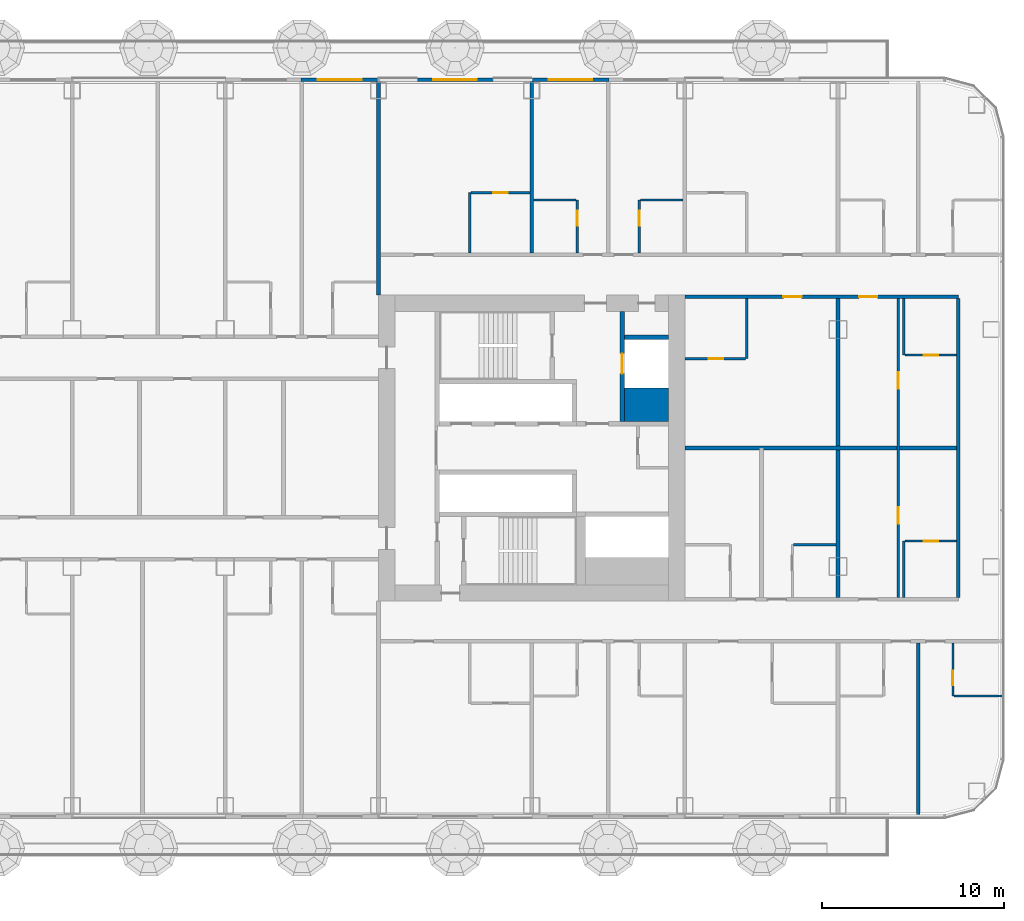
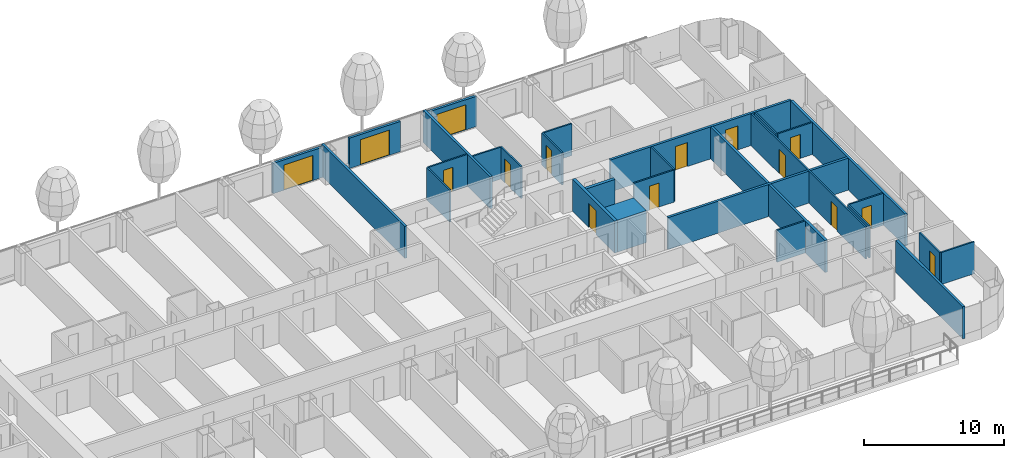
# One storey, part 19 of 36: 29 walls, 15 doors, 15 openings, 1 element without a shape of its own.
"""IFC4 building model written with IfcOpenShell, lengths in metres."""

from ifc_helpers import new_model, si_unit, direction, frame, frame_2d, origin, place, context, subcontext, project, spatial, rectangle, extrude, material, layer, layer_set, type_object, element, fill, aggregate, save


model = new_model("IFC4")

# Units and contexts
model_context = context("Model", 3, precision=1e-05, world=origin(), true_north=direction((0.0, 1.0)))
body_context = subcontext(model_context, "Body", "Model", "MODEL_VIEW")
ifc_project = project(units=[si_unit("LENGTHUNIT", "METRE"), si_unit("AREAUNIT", "SQUARE_METRE"), si_unit("VOLUMEUNIT", "CUBIC_METRE"), si_unit("PLANEANGLEUNIT", "RADIAN"), si_unit("MASSUNIT", "GRAM", prefix="KILO")], contexts=[model_context])

# Site, building, storey
site_placement = place(None, origin())
site = spatial("IfcSite", under=ifc_project, at=site_placement, CompositionType="ELEMENT")
building_placement = place(site_placement, origin())
building = spatial("IfcBuilding", under=site, at=building_placement, Name="Hakoniwa Tower and Hamabe Station Hall", CompositionType="ELEMENT")
storey_placement = place(building_placement, frame((0.0, 0.0, 26.199951171875)))
storey = spatial("IfcBuildingStorey", under=building, at=storey_placement, Name="L06", CompositionType="ELEMENT", Elevation=26.199951171875)

# Walls
ifc_material_1 = material(Name="Gypsum board partition", Category="gypsum")
ifc_layer_1 = layer(ifc_material_1, 0.125)
ifc_layer_set_1 = layer_set([ifc_layer_1], Name="Bathroom Partition 125")
wall_type_1 = type_object("IfcWallType", Name="Bathroom Partition 125", PredefinedType="PARTITIONING", material=ifc_layer_set_1)
wall_1_placement = place(storey_placement, frame((48.362548828125, -13.60009765625, 0.0), z_axis=(0.0, 0.0, 1.0), x_axis=(1.0, 0.0, 0.0)))
element("IfcWall", 1, at=wall_1_placement, inside=storey, type_object=wall_type_1, Name="GW-L06-006", PredefinedType="PARTITIONING", context=body_context, shape_type="SweptSolid", body=[
    extrude(rectangle(XDim=2.737548828125, YDim=0.125, at=frame_2d((1.36865234375, 0.0))), origin(), (0.0, 0.0, 1.0), 2.800048828125),
])
wall_2_placement = place(storey_placement, frame((39.5625, -5.300048828125, 0.0), z_axis=(0.0, 0.0, 1.0), x_axis=(1.0, 0.0, 0.0)))
element("IfcWall", 2, at=wall_2_placement, inside=storey, type_object=wall_type_1, Name="GW-L06-018", PredefinedType="PARTITIONING", context=body_context, shape_type="SweptSolid", body=[
    extrude(rectangle(XDim=2.33740234375, YDim=0.125, at=frame_2d((1.168701171875, 0.0))), origin(), (0.0, 0.0, 1.0), 2.800048828125),
])

# Wall, opening, door
wall_3_placement = place(storey_placement, frame((45.66259765625, -5.10009765625, 0.0), z_axis=(0.0, 0.0, 1.0), x_axis=(1.0, 0.0, 0.0)))
wall_3 = element("IfcWall", 3, at=wall_3_placement, inside=storey, type_object=wall_type_1, Name="GW-L06-020", PredefinedType="PARTITIONING", context=body_context, shape_type="SweptSolid", body=[
    extrude(rectangle(XDim=2.83740234375, YDim=0.125, at=frame_2d((1.418701171875, 0.0))), origin(), (0.0, 0.0, 1.0), 2.800048828125),
])
opening_1_placement = place(wall_3_placement, frame((1.03759765625, 0.0, 0.0)))
opening_1 = element("IfcOpeningElement", 4, at=opening_1_placement, cuts=wall_3, Name="Opening GD-G1C0-28", PredefinedType="OPENING", context=body_context, shape_type="SweptSolid", body=[
    extrude(rectangle(XDim=0.800048828125, YDim=2.10009765625, at=frame_2d((0.39990234375, 1.050048828125))), frame((0.0, 0.072509765625, 0.0), z_axis=(0.0, -1.0, 0.0), x_axis=(1.0, 0.0, 0.0)), (0.0, 0.0, 1.0), 0.14501953125),
])
ifc_material_2 = material(Name="Timber door leaf", Category="wood")
door_type_1 = type_object("IfcDoorType", Name="Bathroom Door 800", OperationType="SINGLE_SWING_LEFT", PredefinedType="DOOR", material=ifc_material_2)
door_1_placement = place(opening_1_placement, origin())
door_1 = element("IfcDoor", 5, at=door_1_placement, inside=storey, type_object=door_type_1, Name="Door GD-G1C0-28", OperationType="SINGLE_SWING_RIGHT", OverallHeight=2.10009765625, OverallWidth=0.800048828125, PredefinedType="DOOR", context=body_context, shape_type="SweptSolid", body=[
    extrude(rectangle(XDim=0.800048828125, YDim=2.10009765625, at=frame_2d((0.39990234375, 1.050048828125))), frame((0.0, 0.02490234375, 0.0), z_axis=(0.0, -1.0, 0.0), x_axis=(1.0, 0.0, 0.0)), (0.0, 0.0, 1.0), 0.050048828125),
])
fill(opening_1, door_1)

wall_4_placement = place(storey_placement, frame((33.60009765625, 4.89990234375, 0.0), z_axis=(0.0, 0.0, 1.0), x_axis=(1.0, 0.0, 0.0)))
wall_4 = element("IfcWall", 6, at=wall_4_placement, inside=storey, type_object=wall_type_1, Name="GW-L06-026", PredefinedType="PARTITIONING", context=body_context, shape_type="SweptSolid", body=[
    extrude(rectangle(XDim=3.33740234375, YDim=0.125, at=frame_2d((1.668701171875, 0.0))), origin(), (0.0, 0.0, 1.0), 2.800048828125),
])
opening_2_placement = place(wall_4_placement, frame((1.300048828125, 0.0, 0.0)))
opening_2 = element("IfcOpeningElement", 7, at=opening_2_placement, cuts=wall_4, Name="Opening GD-G1C0-38", PredefinedType="OPENING", context=body_context, shape_type="SweptSolid", body=[
    extrude(rectangle(XDim=0.800048828125, YDim=2.10009765625, at=frame_2d((0.39990234375, 1.050048828125))), frame((0.0, 0.072509765625, 0.0), z_axis=(0.0, -1.0, 0.0), x_axis=(1.0, 0.0, 0.0)), (0.0, 0.0, 1.0), 0.14501953125),
])
door_2_placement = place(opening_2_placement, origin())
door_2 = element("IfcDoor", 8, at=door_2_placement, inside=storey, type_object=door_type_1, Name="Door GD-G1C0-38", OperationType="SINGLE_SWING_LEFT", OverallHeight=2.10009765625, OverallWidth=0.800048828125, PredefinedType="DOOR", context=body_context, shape_type="SweptSolid", body=[
    extrude(rectangle(XDim=0.800048828125, YDim=2.10009765625, at=frame_2d((0.39990234375, 1.050048828125))), frame((0.0, 0.02490234375, 0.0), z_axis=(0.0, -1.0, 0.0), x_axis=(1.0, 0.0, 0.0)), (0.0, 0.0, 1.0), 0.050048828125),
])
fill(opening_2, door_2)

wall_5_placement = place(storey_placement, frame((45.66259765625, 5.10009765625, 0.0), z_axis=(0.0, 0.0, 1.0), x_axis=(1.0, 0.0, 0.0)))
wall_5 = element("IfcWall", 9, at=wall_5_placement, inside=storey, type_object=wall_type_1, Name="GW-L06-027", PredefinedType="PARTITIONING", context=body_context, shape_type="SweptSolid", body=[
    extrude(rectangle(XDim=2.83740234375, YDim=0.125, at=frame_2d((1.418701171875, 0.0))), origin(), (0.0, 0.0, 1.0), 2.800048828125),
])
opening_3_placement = place(wall_5_placement, frame((1.03759765625, 0.0, 0.0)))
opening_3 = element("IfcOpeningElement", 10, at=opening_3_placement, cuts=wall_5, Name="Opening GD-G1C0-39", PredefinedType="OPENING", context=body_context, shape_type="SweptSolid", body=[
    extrude(rectangle(XDim=0.800048828125, YDim=2.10009765625, at=frame_2d((0.39990234375, 1.050048828125))), frame((0.0, 0.072509765625, 0.0), z_axis=(0.0, -1.0, 0.0), x_axis=(1.0, 0.0, 0.0)), (0.0, 0.0, 1.0), 0.14501953125),
])
door_3_placement = place(opening_3_placement, origin())
door_3 = element("IfcDoor", 11, at=door_3_placement, inside=storey, type_object=door_type_1, Name="Door GD-G1C0-39", OperationType="SINGLE_SWING_LEFT", OverallHeight=2.10009765625, OverallWidth=0.800048828125, PredefinedType="DOOR", context=body_context, shape_type="SweptSolid", body=[
    extrude(rectangle(XDim=0.800048828125, YDim=2.10009765625, at=frame_2d((0.39990234375, 1.050048828125))), frame((0.0, 0.02490234375, 0.0), z_axis=(0.0, -1.0, 0.0), x_axis=(1.0, 0.0, 0.0)), (0.0, 0.0, 1.0), 0.050048828125),
])
fill(opening_3, door_3)

# Walls
for number, where, z_axis, x_axis, name in (
    (12, (25.300048828125, 13.60009765625, 0.0), (0.0, 0.0, 1.0), (1.0, 0.0, 0.0), "GW-L06-045"),
    (13, (31.16259765625, 13.60009765625, 0.0), (0.0, 0.0, 1.0), (1.0, 0.0, 0.0), "GW-L06-046"),
):
    element("IfcWall", number, at=place(storey_placement, frame(where, z_axis=z_axis, x_axis=x_axis)), inside=storey, type_object=wall_type_1, Name=name, PredefinedType="PARTITIONING", context=body_context, shape_type="SweptSolid", body=[
        extrude(rectangle(XDim=2.33740234375, YDim=0.125, at=frame_2d((1.168701171875, 0.0))), origin(), (0.0, 0.0, 1.0), 2.800048828125),
    ])

# Wall, opening, door
wall_6_placement = place(storey_placement, frame((21.862548828125, 14.0, 0.0), z_axis=(0.0, 0.0, 1.0), x_axis=(1.0, 0.0, 0.0)))
wall_6 = element("IfcWall", 14, at=wall_6_placement, inside=storey, type_object=wall_type_1, Name="GW-L06-051", PredefinedType="PARTITIONING", context=body_context, shape_type="SweptSolid", body=[
    extrude(rectangle(XDim=3.237548828125, YDim=0.125, at=frame_2d((1.61865234375, 0.0))), origin(), (0.0, 0.0, 1.0), 2.800048828125),
])
opening_4_placement = place(wall_6_placement, frame((1.237548828125, 0.0, 0.0)))
opening_4 = element("IfcOpeningElement", 15, at=opening_4_placement, cuts=wall_6, Name="Opening GD-G1C0-66", PredefinedType="OPENING", context=body_context, shape_type="SweptSolid", body=[
    extrude(rectangle(XDim=0.800048828125, YDim=2.10009765625, at=frame_2d((0.39990234375, 1.050048828125))), frame((0.0, 0.072509765625, 0.0), z_axis=(0.0, -1.0, 0.0), x_axis=(1.0, 0.0, 0.0)), (0.0, 0.0, 1.0), 0.14501953125),
])
door_4_placement = place(opening_4_placement, origin())
door_4 = element("IfcDoor", 16, at=door_4_placement, inside=storey, type_object=door_type_1, Name="Door GD-G1C0-66", OperationType="SINGLE_SWING_RIGHT", OverallHeight=2.10009765625, OverallWidth=0.800048828125, PredefinedType="DOOR", context=body_context, shape_type="SweptSolid", body=[
    extrude(rectangle(XDim=0.800048828125, YDim=2.10009765625, at=frame_2d((0.39990234375, 1.050048828125))), frame((0.0, 0.02490234375, 0.0), z_axis=(0.0, -1.0, 0.0), x_axis=(1.0, 0.0, 0.0)), (0.0, 0.0, 1.0), 0.050048828125),
])
fill(opening_4, door_4)

# Wall
wall_7_placement = place(storey_placement, frame((21.800048828125, 10.699951171875, 0.0), z_axis=(0.0, 0.0, 1.0), x_axis=(0.0, 1.0, 0.0)))
element("IfcWall", 17, at=wall_7_placement, inside=storey, type_object=wall_type_1, Name="GW-L06-112", PredefinedType="PARTITIONING", context=body_context, shape_type="SweptSolid", body=[
    extrude(rectangle(XDim=3.300048828125, YDim=0.125, at=frame_2d((1.64990234375, 0.0))), origin(), (0.0, 0.0, 1.0), 2.800048828125),
])

# Wall, opening, door
wall_8_placement = place(storey_placement, frame((27.699951171875, 10.699951171875, 0.0), z_axis=(0.0, 0.0, 1.0), x_axis=(0.0, 1.0, 0.0)))
wall_8 = element("IfcWall", 18, at=wall_8_placement, inside=storey, type_object=wall_type_1, Name="GW-L06-116", PredefinedType="PARTITIONING", context=body_context, shape_type="SweptSolid", body=[
    extrude(rectangle(XDim=2.900146484375, YDim=0.125, at=frame_2d((1.4501953125, 0.0))), origin(), (0.0, 0.0, 1.0), 2.800048828125),
])
opening_5_placement = place(wall_8_placement, frame((1.5, 0.0, 0.0)))
opening_5 = element("IfcOpeningElement", 19, at=opening_5_placement, cuts=wall_8, Name="Opening GD-G1C0-86", PredefinedType="OPENING", context=body_context, shape_type="SweptSolid", body=[
    extrude(rectangle(XDim=0.800048828125, YDim=2.10009765625, at=frame_2d((0.39990234375, 1.050048828125))), frame((0.0, 0.072509765625, 0.0), z_axis=(0.0, -1.0, 0.0), x_axis=(1.0, 0.0, 0.0)), (0.0, 0.0, 1.0), 0.14501953125),
])
door_5_placement = place(opening_5_placement, origin())
door_5 = element("IfcDoor", 20, at=door_5_placement, inside=storey, type_object=door_type_1, Name="Door GD-G1C0-86", OperationType="SINGLE_SWING_LEFT", OverallHeight=2.10009765625, OverallWidth=0.800048828125, PredefinedType="DOOR", context=body_context, shape_type="SweptSolid", body=[
    extrude(rectangle(XDim=0.800048828125, YDim=2.10009765625, at=frame_2d((0.39990234375, 1.050048828125))), frame((0.0, 0.02490234375, 0.0), z_axis=(0.0, -1.0, 0.0), x_axis=(1.0, 0.0, 0.0)), (0.0, 0.0, 1.0), 0.050048828125),
])
fill(opening_5, door_5)

wall_9_placement = place(storey_placement, frame((31.10009765625, 10.699951171875, 0.0), z_axis=(0.0, 0.0, 1.0), x_axis=(0.0, 1.0, 0.0)))
wall_9 = element("IfcWall", 21, at=wall_9_placement, inside=storey, type_object=wall_type_1, Name="GW-L06-120", PredefinedType="PARTITIONING", context=body_context, shape_type="SweptSolid", body=[
    extrude(rectangle(XDim=2.900146484375, YDim=0.125, at=frame_2d((1.4501953125, 0.0))), origin(), (0.0, 0.0, 1.0), 2.800048828125),
])
opening_6_placement = place(wall_9_placement, frame((1.5, 0.0, 0.0)))
opening_6 = element("IfcOpeningElement", 22, at=opening_6_placement, cuts=wall_9, Name="Opening GD-G1C0-88", PredefinedType="OPENING", context=body_context, shape_type="SweptSolid", body=[
    extrude(rectangle(XDim=0.800048828125, YDim=2.10009765625, at=frame_2d((0.39990234375, 1.050048828125))), frame((0.0, 0.072509765625, 0.0), z_axis=(0.0, -1.0, 0.0), x_axis=(1.0, 0.0, 0.0)), (0.0, 0.0, 1.0), 0.14501953125),
])
door_6_placement = place(opening_6_placement, origin())
door_6 = element("IfcDoor", 23, at=door_6_placement, inside=storey, type_object=door_type_1, Name="Door GD-G1C0-88", OperationType="SINGLE_SWING_RIGHT", OverallHeight=2.10009765625, OverallWidth=0.800048828125, PredefinedType="DOOR", context=body_context, shape_type="SweptSolid", body=[
    extrude(rectangle(XDim=0.800048828125, YDim=2.10009765625, at=frame_2d((0.39990234375, 1.050048828125))), frame((0.0, 0.02490234375, 0.0), z_axis=(0.0, -1.0, 0.0), x_axis=(1.0, 0.0, 0.0)), (0.0, 0.0, 1.0), 0.050048828125),
])
fill(opening_6, door_6)

# Walls
wall_10_placement = place(storey_placement, frame((37.0, 4.89990234375, 0.0), z_axis=(0.0, 0.0, 1.0), x_axis=(0.0, 1.0, 0.0)))
element("IfcWall", 24, at=wall_10_placement, inside=storey, type_object=wall_type_1, Name="GW-L06-124", PredefinedType="PARTITIONING", context=body_context, shape_type="SweptSolid", body=[
    extrude(rectangle(XDim=3.300048828125, YDim=0.125, at=frame_2d((1.64990234375, 0.0))), origin(), (0.0, 0.0, 1.0), 2.800048828125),
])
for number, where, z_axis, x_axis, name in (
    (25, (45.60009765625, -8.199951171875, 0.0), (0.0, 0.0, 1.0), (0.0, 1.0, 0.0), "GW-L06-135"),
    (26, (45.60009765625, 5.10009765625, 0.0), (0.0, 0.0, 1.0), (0.0, 1.0, 0.0), "GW-L06-136"),
):
    element("IfcWall", number, at=place(storey_placement, frame(where, z_axis=z_axis, x_axis=x_axis)), inside=storey, type_object=wall_type_1, Name=name, PredefinedType="PARTITIONING", context=body_context, shape_type="SweptSolid", body=[
        extrude(rectangle(XDim=3.099853515625, YDim=0.125, at=frame_2d((1.5498046875, 0.0))), origin(), (0.0, 0.0, 1.0), 2.800048828125),
    ])

# Wall, opening, door
wall_11_placement = place(storey_placement, frame((48.300048828125, -13.60009765625, 0.0), z_axis=(0.0, 0.0, 1.0), x_axis=(0.0, 1.0, 0.0)))
wall_11 = element("IfcWall", 27, at=wall_11_placement, inside=storey, type_object=wall_type_1, Name="GW-L06-139", PredefinedType="PARTITIONING", context=body_context, shape_type="SweptSolid", body=[
    extrude(rectangle(XDim=2.900146484375, YDim=0.125, at=frame_2d((1.4501953125, 0.0))), origin(), (0.0, 0.0, 1.0), 2.800048828125),
])
opening_7_placement = place(wall_11_placement, frame((0.60009765625, 0.0, 0.0)))
opening_7 = element("IfcOpeningElement", 28, at=opening_7_placement, cuts=wall_11, Name="Opening GD-G1C0-96", PredefinedType="OPENING", context=body_context, shape_type="SweptSolid", body=[
    extrude(rectangle(XDim=0.800048828125, YDim=2.10009765625, at=frame_2d((0.39990234375, 1.050048828125))), frame((0.0, 0.072509765625, 0.0), z_axis=(0.0, -1.0, 0.0), x_axis=(1.0, 0.0, 0.0)), (0.0, 0.0, 1.0), 0.14501953125),
])
door_7_placement = place(opening_7_placement, origin())
door_7 = element("IfcDoor", 29, at=door_7_placement, inside=storey, type_object=door_type_1, Name="Door GD-G1C0-96", OperationType="SINGLE_SWING_LEFT", OverallHeight=2.10009765625, OverallWidth=0.800048828125, PredefinedType="DOOR", context=body_context, shape_type="SweptSolid", body=[
    extrude(rectangle(XDim=0.800048828125, YDim=2.10009765625, at=frame_2d((0.39990234375, 1.050048828125))), frame((0.0, 0.02490234375, 0.0), z_axis=(0.0, -1.0, 0.0), x_axis=(1.0, 0.0, 0.0)), (0.0, 0.0, 1.0), 0.050048828125),
])
fill(opening_7, door_7)

# Wall
ifc_material_3 = material(Name="Concrete C80", Category="concrete")
ifc_layer_2 = layer(ifc_material_3, 1.85009765625)
ifc_layer_set_2 = layer_set([ifc_layer_2], Name="CORE WEB WALL 1850 C80")
wall_type_2 = type_object("IfcWallType", Name="CORE WEB WALL 1850 C80", PredefinedType="SHEAR", material=ifc_layer_set_2)
wall_12_placement = place(storey_placement, frame((30.300048828125, 2.375, 0.0), z_axis=(0.0, 0.0, 1.0), x_axis=(1.0, 0.0, 0.0)))
element("IfcWall", 30, at=wall_12_placement, inside=storey, type_object=wall_type_2, Name="Core wall CA east", PredefinedType="SHEAR", context=body_context, shape_type="SweptSolid", body=[
    extrude(rectangle(XDim=2.39990234375, YDim=1.85009765625, at=frame_2d((1.199951171875, 0.0))), origin(), (0.0, 0.0, 1.0), 2.800048828125),
])

# Wall, opening, door
ifc_material_4 = material(Name="Concrete C80", Category="concrete")
ifc_layer_3 = layer(ifc_material_4, 0.25)
ifc_layer_set_3 = layer_set([ifc_layer_3], Name="CORE WEB WALL 250 C80")
wall_type_3 = type_object("IfcWallType", Name="CORE WEB WALL 250 C80", PredefinedType="SHEAR", material=ifc_layer_set_3)
wall_13_placement = place(storey_placement, frame((30.175048828125, 1.449951171875, 0.0), z_axis=(0.0, 0.0, 1.0), x_axis=(0.0, 1.0, 0.0)))
wall_13 = element("IfcWall", 31, at=wall_13_placement, inside=storey, type_object=wall_type_3, Name="Core wall FFF east", PredefinedType="SHEAR", context=body_context, shape_type="SweptSolid", body=[
    extrude(rectangle(XDim=6.050048828125, YDim=0.25, at=frame_2d((3.02490234375, 0.0))), origin(), (0.0, 0.0, 1.0), 2.800048828125),
])
opening_8_placement = place(wall_13_placement, frame((2.625, 0.0, 0.0)))
opening_8 = element("IfcOpeningElement", 32, at=opening_8_placement, cuts=wall_13, Name="Opening LD-FF2", PredefinedType="OPENING", context=body_context, shape_type="SweptSolid", body=[
    extrude(rectangle(XDim=1.10009765625, YDim=2.10009765625, at=frame_2d((0.550048828125, 1.050048828125))), frame((0.0, 0.135009765625, 0.0), z_axis=(0.0, -1.0, 0.0), x_axis=(1.0, 0.0, 0.0)), (0.0, 0.0, 1.0), 0.27001953125),
])
ifc_material_5 = material(Name="Stainless steel SUS304", Category="steel")
door_type_2 = type_object("IfcDoorType", Name="LIFT LANDING DOOR 1100 FD60", OperationType="DOUBLE_DOOR_SLIDING", PredefinedType="DOOR", material=ifc_material_5)
door_8_placement = place(opening_8_placement, origin())
door_8 = element("IfcDoor", 33, at=door_8_placement, inside=storey, type_object=door_type_2, Name="Lift landing door FF2 L06", OperationType="DOUBLE_DOOR_SLIDING", OverallHeight=2.10009765625, OverallWidth=1.10009765625, PredefinedType="DOOR", context=body_context, shape_type="SweptSolid", body=[
    extrude(rectangle(XDim=1.10009765625, YDim=2.10009765625, at=frame_2d((0.550048828125, 1.050048828125))), frame((0.0, 0.02490234375, 0.0), z_axis=(0.0, -1.0, 0.0), x_axis=(1.0, 0.0, 0.0)), (0.0, 0.0, 1.0), 0.050048828125),
])
fill(opening_8, door_8)

# Wall
wall_14_placement = place(storey_placement, frame((30.300048828125, 6.074951171875, 0.0), z_axis=(0.0, 0.0, 1.0), x_axis=(1.0, 0.0, 0.0)))
element("IfcWall", 34, at=wall_14_placement, inside=storey, type_object=wall_type_3, Name="Core wall C2 east", PredefinedType="SHEAR", context=body_context, shape_type="SweptSolid", body=[
    extrude(rectangle(XDim=2.39990234375, YDim=0.25, at=frame_2d((1.199951171875, 0.0))), origin(), (0.0, 0.0, 1.0), 2.800048828125),
])

# Wall, openings, doors
ifc_material_6 = material(Name="Fire-rated gypsum board partition", Category="gypsum")
ifc_layer_4 = layer(ifc_material_6, 0.199951171875)
ifc_layer_set_4 = layer_set([ifc_layer_4], Name="Corridor Wall 200")
wall_type_4 = type_object("IfcWallType", Name="Corridor Wall 200", PredefinedType="PARTITIONING", material=ifc_layer_set_4)
wall_15_placement = place(storey_placement, frame((33.60009765625, 8.300048828125, 0.0), z_axis=(0.0, 0.0, 1.0), x_axis=(1.0, 0.0, 0.0)))
wall_15 = element("IfcWall", 35, at=wall_15_placement, inside=storey, type_object=wall_type_4, Name="GW-L06-033", PredefinedType="PARTITIONING", context=body_context, shape_type="SweptSolid", body=[
    extrude(rectangle(XDim=15.0, YDim=0.199951171875, at=frame_2d((7.5, 0.0))), origin(), (0.0, 0.0, 1.0), 2.800048828125),
])
opening_9_placement = place(wall_15_placement, frame((5.39990234375, 0.0, 0.0)))
opening_9 = element("IfcOpeningElement", 36, at=opening_9_placement, cuts=wall_15, Name="Opening GD-G1C0-50", PredefinedType="OPENING", context=body_context, shape_type="SweptSolid", body=[
    extrude(rectangle(XDim=1.0, YDim=2.10009765625, at=frame_2d((0.5, 1.050048828125))), frame((0.0, 0.10986328125, 0.0), z_axis=(0.0, -1.0, 0.0), x_axis=(1.0, 0.0, 0.0)), (0.0, 0.0, 1.0), 0.219970703125),
])
opening_10_placement = place(wall_15_placement, frame((9.550048828125, 0.0, 0.0)))
opening_10 = element("IfcOpeningElement", 37, at=opening_10_placement, cuts=wall_15, Name="Opening GD-G1C0-51", PredefinedType="OPENING", context=body_context, shape_type="SweptSolid", body=[
    extrude(rectangle(XDim=1.0, YDim=2.10009765625, at=frame_2d((0.5, 1.050048828125))), frame((0.0, 0.10986328125, 0.0), z_axis=(0.0, -1.0, 0.0), x_axis=(1.0, 0.0, 0.0)), (0.0, 0.0, 1.0), 0.219970703125),
])
ifc_material_7 = material(Name="Timber door leaf", Category="wood")
door_type_3 = type_object("IfcDoorType", Name="Guest Entrance Door 1000", OperationType="SINGLE_SWING_LEFT", PredefinedType="DOOR", material=ifc_material_7)
door_9_placement = place(opening_9_placement, origin())
door_9 = element("IfcDoor", 38, at=door_9_placement, inside=storey, type_object=door_type_3, Name="Door GD-G1C0-50", OperationType="SINGLE_SWING_LEFT", OverallHeight=2.10009765625, OverallWidth=1.0, PredefinedType="DOOR", context=body_context, shape_type="SweptSolid", body=[
    extrude(rectangle(XDim=1.0, YDim=2.10009765625, at=frame_2d((0.5, 1.050048828125))), frame((0.0, 0.02490234375, 0.0), z_axis=(0.0, -1.0, 0.0), x_axis=(1.0, 0.0, 0.0)), (0.0, 0.0, 1.0), 0.050048828125),
])
fill(opening_9, door_9)
door_10_placement = place(opening_10_placement, origin())
door_10 = element("IfcDoor", 39, at=door_10_placement, inside=storey, type_object=door_type_3, Name="Door GD-G1C0-51", OperationType="SINGLE_SWING_LEFT", OverallHeight=2.10009765625, OverallWidth=1.0, PredefinedType="DOOR", context=body_context, shape_type="SweptSolid", body=[
    extrude(rectangle(XDim=1.0, YDim=2.10009765625, at=frame_2d((0.5, 1.050048828125))), frame((0.0, 0.02490234375, 0.0), z_axis=(0.0, -1.0, 0.0), x_axis=(1.0, 0.0, 0.0)), (0.0, 0.0, 1.0), 0.050048828125),
])
fill(opening_10, door_10)

# Curtain wall, walls, openings, doors
ifc_material_8 = material(Name="Dark low-e laminated glass", Category="glass")
ifc_layer_5 = layer(ifc_material_8, 0.199951171875)
ifc_layer_set_5 = layer_set([ifc_layer_5], Name="CW-1 UNITISED GUEST")
curtain_wall_type = type_object("IfcCurtainWallType", Name="CW-1 UNITISED GUEST", PredefinedType="NOTDEFINED", material=ifc_layer_set_5)
curtain_wall_placement = place(storey_placement, origin())
curtain_wall = element("IfcCurtainWall", 40, at=curtain_wall_placement, inside=storey, type_object=curtain_wall_type, Name="CW-1 curtain wall", PredefinedType="NOTDEFINED")
ifc_material_9 = material(Name="Dark glass-faced aluminium panel", Category="aluminium")
ifc_layer_6 = layer(ifc_material_9, 0.199951171875)
ifc_layer_set_6 = layer_set([ifc_layer_6], Name="DOOR BAY WALL")
wall_type_5 = type_object("IfcWallType", Name="DOOR BAY WALL", PredefinedType="NOTDEFINED", material=ifc_layer_set_6)
wall_16_placement = place(storey_placement, frame((29.43994140625, 20.199951171875, 0.0), z_axis=(0.0, 0.0, 1.0), x_axis=(-1.0, 0.0, 0.0)))
wall_16 = element("IfcWall", 41, at=wall_16_placement, type_object=wall_type_5, Name="Door bay wall", PredefinedType="NOTDEFINED", context=body_context, shape_type="SweptSolid", body=[
    extrude(rectangle(XDim=4.219970703125, YDim=0.199951171875, at=frame_2d((2.10986328125, 0.0))), origin(), (0.0, 0.0, 1.0), 2.650146484375),
])
opening_11_placement = place(wall_16_placement, frame((0.909912109375, 0.0, 0.0)))
opening_11 = element("IfcOpeningElement", 42, at=opening_11_placement, cuts=wall_16, Name="Opening BD-N03-12", PredefinedType="OPENING", context=body_context, shape_type="SweptSolid", body=[
    extrude(rectangle(XDim=2.39990234375, YDim=2.199951171875, at=frame_2d((1.199951171875, 1.10009765625))), frame((0.0, 0.10986328125, 0.0), z_axis=(0.0, -1.0, 0.0), x_axis=(1.0, 0.0, 0.0)), (0.0, 0.0, 1.0), 0.219970703125),
])
ifc_material_10 = material(Name="Dark low-e laminated glass", Category="glass")
door_type_4 = type_object("IfcDoorType", Name="BALCONY SLIDING DOOR 2400X2200", OperationType="SLIDING_TO_LEFT", PredefinedType="DOOR", material=ifc_material_10)
door_11_placement = place(opening_11_placement, frame((2.39990234375, 0.0, 0.0), z_axis=(0.0, 0.0, 1.0), x_axis=(-1.0, 0.0, 0.0)))
door_11 = element("IfcDoor", 43, at=door_11_placement, inside=storey, type_object=door_type_4, Name="Balcony sliding door", OperationType="SLIDING_TO_LEFT", OverallHeight=2.199951171875, OverallWidth=2.39990234375, PredefinedType="DOOR", context=body_context, shape_type="SweptSolid", body=[
    extrude(rectangle(XDim=2.39990234375, YDim=2.199951171875, at=frame_2d((1.199951171875, 1.10009765625))), frame((0.0, 0.02490234375, 0.0), z_axis=(0.0, -1.0, 0.0), x_axis=(1.0, 0.0, 0.0)), (0.0, 0.0, 1.0), 0.050048828125),
])
fill(opening_11, door_11)
wall_17_placement = place(storey_placement, frame((23.110107421875, 20.199951171875, 0.0), z_axis=(0.0, 0.0, 1.0), x_axis=(-1.0, 0.0, 0.0)))
wall_17 = element("IfcWall", 44, at=wall_17_placement, type_object=wall_type_5, Name="Door bay wall", PredefinedType="NOTDEFINED", context=body_context, shape_type="SweptSolid", body=[
    extrude(rectangle(XDim=4.22021484375, YDim=0.199951171875, at=frame_2d((2.110107421875, 0.0))), origin(), (0.0, 0.0, 1.0), 2.650146484375),
])
opening_12_placement = place(wall_17_placement, frame((0.909912109375, 0.0, 0.0)))
opening_12 = element("IfcOpeningElement", 45, at=opening_12_placement, cuts=wall_17, Name="Opening BD-N03-11", PredefinedType="OPENING", context=body_context, shape_type="SweptSolid", body=[
    extrude(rectangle(XDim=2.39990234375, YDim=2.199951171875, at=frame_2d((1.199951171875, 1.10009765625))), frame((0.0, 0.10986328125, 0.0), z_axis=(0.0, -1.0, 0.0), x_axis=(1.0, 0.0, 0.0)), (0.0, 0.0, 1.0), 0.219970703125),
])
door_12_placement = place(opening_12_placement, frame((2.39990234375, 0.0, 0.0), z_axis=(0.0, 0.0, 1.0), x_axis=(-1.0, 0.0, 0.0)))
door_12 = element("IfcDoor", 46, at=door_12_placement, inside=storey, type_object=door_type_4, Name="Balcony sliding door", OperationType="SLIDING_TO_LEFT", OverallHeight=2.199951171875, OverallWidth=2.39990234375, PredefinedType="DOOR", context=body_context, shape_type="SweptSolid", body=[
    extrude(rectangle(XDim=2.39990234375, YDim=2.199951171875, at=frame_2d((1.199951171875, 1.10009765625))), frame((0.0, 0.02490234375, 0.0), z_axis=(0.0, -1.0, 0.0), x_axis=(1.0, 0.0, 0.0)), (0.0, 0.0, 1.0), 0.050048828125),
])
fill(opening_12, door_12)
wall_18_placement = place(storey_placement, frame((16.780029296875, 20.199951171875, 0.0), z_axis=(0.0, 0.0, 1.0), x_axis=(-1.0, 0.0, 0.0)))
wall_18 = element("IfcWall", 47, at=wall_18_placement, type_object=wall_type_5, Name="Door bay wall", PredefinedType="NOTDEFINED", context=body_context, shape_type="SweptSolid", body=[
    extrude(rectangle(XDim=4.219970703125, YDim=0.199951171875, at=frame_2d((2.10986328125, 0.0))), origin(), (0.0, 0.0, 1.0), 2.650146484375),
])
opening_13_placement = place(wall_18_placement, frame((0.909912109375, 0.0, 0.0)))
opening_13 = element("IfcOpeningElement", 48, at=opening_13_placement, cuts=wall_18, Name="Opening BD-N03-5", PredefinedType="OPENING", context=body_context, shape_type="SweptSolid", body=[
    extrude(rectangle(XDim=2.39990234375, YDim=2.199951171875, at=frame_2d((1.199951171875, 1.10009765625))), frame((0.0, 0.10986328125, 0.0), z_axis=(0.0, -1.0, 0.0), x_axis=(1.0, 0.0, 0.0)), (0.0, 0.0, 1.0), 0.219970703125),
])
door_13_placement = place(opening_13_placement, frame((2.39990234375, 0.0, 0.0), z_axis=(0.0, 0.0, 1.0), x_axis=(-1.0, 0.0, 0.0)))
door_13 = element("IfcDoor", 49, at=door_13_placement, inside=storey, type_object=door_type_4, Name="Balcony sliding door", OperationType="SLIDING_TO_LEFT", OverallHeight=2.199951171875, OverallWidth=2.39990234375, PredefinedType="DOOR", context=body_context, shape_type="SweptSolid", body=[
    extrude(rectangle(XDim=2.39990234375, YDim=2.199951171875, at=frame_2d((1.199951171875, 1.10009765625))), frame((0.0, 0.02490234375, 0.0), z_axis=(0.0, -1.0, 0.0), x_axis=(1.0, 0.0, 0.0)), (0.0, 0.0, 1.0), 0.050048828125),
])
fill(opening_13, door_13)
aggregate(curtain_wall, [wall_16, wall_17, wall_18])

# Walls
ifc_material_11 = material(Name="Fire-rated gypsum board partition", Category="gypsum")
ifc_layer_7 = layer(ifc_material_11, 0.199951171875)
ifc_layer_set_7 = layer_set([ifc_layer_7], Name="Party Wall 200")
wall_type_6 = type_object("IfcWallType", Name="Party Wall 200", PredefinedType="PARTITIONING", material=ifc_layer_set_7)
wall_19_placement = place(storey_placement, frame((33.60009765625, 0.0, 0.0), z_axis=(0.0, 0.0, 1.0), x_axis=(1.0, 0.0, 0.0)))
element("IfcWall", 50, at=wall_19_placement, inside=storey, type_object=wall_type_6, Name="GW-L06-024", PredefinedType="PARTITIONING", context=body_context, shape_type="SweptSolid", body=[
    extrude(rectangle(XDim=14.89990234375, YDim=0.199951171875, at=frame_2d((7.449951171875, 0.0))), origin(), (0.0, 0.0, 1.0), 2.800048828125),
])
wall_20_placement = place(storey_placement, frame((16.800048828125, 8.389892578125, 0.0), z_axis=(0.0, 0.0, 1.0), x_axis=(0.0, 1.0, 0.0)))
element("IfcWall", 51, at=wall_20_placement, inside=storey, type_object=wall_type_6, Name="GW-L06-110", PredefinedType="PARTITIONING", context=body_context, shape_type="SweptSolid", body=[
    extrude(rectangle(XDim=11.91015625, YDim=0.199951171875, at=frame_2d((5.955078125, 0.0))), origin(), (0.0, 0.0, 1.0), 2.800048828125),
])
wall_21_placement = place(storey_placement, frame((25.199951171875, 10.699951171875, 0.0), z_axis=(0.0, 0.0, 1.0), x_axis=(0.0, 1.0, 0.0)))
element("IfcWall", 52, at=wall_21_placement, inside=storey, type_object=wall_type_6, Name="GW-L06-114", PredefinedType="PARTITIONING", context=body_context, shape_type="SweptSolid", body=[
    extrude(rectangle(XDim=9.60009765625, YDim=0.199951171875, at=frame_2d((4.800048828125, 0.0))), origin(), (0.0, 0.0, 1.0), 2.800048828125),
])
wall_22_placement = place(storey_placement, frame((42.0, -8.199951171875, 0.0), z_axis=(0.0, 0.0, 1.0), x_axis=(0.0, 1.0, 0.0)))
element("IfcWall", 53, at=wall_22_placement, inside=storey, type_object=wall_type_6, Name="GW-L06-130", PredefinedType="PARTITIONING", context=body_context, shape_type="SweptSolid", body=[
    extrude(rectangle(XDim=16.39990234375, YDim=0.199951171875, at=frame_2d((8.199951171875, 0.0))), origin(), (0.0, 0.0, 1.0), 2.800048828125),
])
wall_23_placement = place(storey_placement, frame((46.39990234375, -20.300048828125, 0.0), z_axis=(0.0, 0.0, 1.0), x_axis=(0.0, 1.0, 0.0)))
element("IfcWall", 54, at=wall_23_placement, inside=storey, type_object=wall_type_6, Name="GW-L06-137", PredefinedType="PARTITIONING", context=body_context, shape_type="SweptSolid", body=[
    extrude(rectangle(XDim=9.60009765625, YDim=0.199951171875, at=frame_2d((4.800048828125, 0.0))), origin(), (0.0, 0.0, 1.0), 2.800048828125),
])
wall_24_placement = place(storey_placement, frame((48.60009765625, -8.199951171875, 0.0), z_axis=(0.0, 0.0, 1.0), x_axis=(0.0, 1.0, 0.0)))
element("IfcWall", 55, at=wall_24_placement, inside=storey, type_object=wall_type_6, Name="GW-L06-141", PredefinedType="PARTITIONING", context=body_context, shape_type="SweptSolid", body=[
    extrude(rectangle(XDim=16.39990234375, YDim=0.199951171875, at=frame_2d((8.199951171875, 0.0))), origin(), (0.0, 0.0, 1.0), 2.800048828125),
])

# Wall, openings, doors
ifc_material_12 = material(Name="Gypsum board partition", Category="gypsum")
ifc_layer_8 = layer(ifc_material_12, 0.125)
ifc_layer_set_8 = layer_set([ifc_layer_8], Name="Room Partition 125")
wall_type_7 = type_object("IfcWallType", Name="Room Partition 125", PredefinedType="PARTITIONING", material=ifc_layer_set_8)
wall_25_placement = place(storey_placement, frame((45.300048828125, -8.199951171875, 0.0), z_axis=(0.0, 0.0, 1.0), x_axis=(0.0, 1.0, 0.0)))
wall_25 = element("IfcWall", 56, at=wall_25_placement, inside=storey, type_object=wall_type_7, Name="GW-L06-134", PredefinedType="PARTITIONING", context=body_context, shape_type="SweptSolid", body=[
    extrude(rectangle(XDim=16.39990234375, YDim=0.125, at=frame_2d((8.199951171875, 0.0))), origin(), (0.0, 0.0, 1.0), 2.800048828125),
])
opening_14_placement = place(wall_25_placement, frame((4.050048828125, 0.0, 0.0)))
opening_14 = element("IfcOpeningElement", 57, at=opening_14_placement, cuts=wall_25, Name="Opening GD-G1C0-94", PredefinedType="OPENING", context=body_context, shape_type="SweptSolid", body=[
    extrude(rectangle(XDim=0.89990234375, YDim=2.10009765625, at=frame_2d((0.449951171875, 1.050048828125))), frame((0.0, 0.072509765625, 0.0), z_axis=(0.0, -1.0, 0.0), x_axis=(1.0, 0.0, 0.0)), (0.0, 0.0, 1.0), 0.14501953125),
])
opening_15_placement = place(wall_25_placement, frame((11.449951171875, 0.0, 0.0)))
opening_15 = element("IfcOpeningElement", 58, at=opening_15_placement, cuts=wall_25, Name="Opening GD-G1C0-95", PredefinedType="OPENING", context=body_context, shape_type="SweptSolid", body=[
    extrude(rectangle(XDim=0.89990234375, YDim=2.10009765625, at=frame_2d((0.449951171875, 1.050048828125))), frame((0.0, 0.072509765625, 0.0), z_axis=(0.0, -1.0, 0.0), x_axis=(1.0, 0.0, 0.0)), (0.0, 0.0, 1.0), 0.14501953125),
])
ifc_material_13 = material(Name="Timber door leaf", Category="wood")
door_type_5 = type_object("IfcDoorType", Name="Suite Interior Door 900", OperationType="SINGLE_SWING_LEFT", PredefinedType="DOOR", material=ifc_material_13)
door_14_placement = place(opening_14_placement, origin())
door_14 = element("IfcDoor", 59, at=door_14_placement, inside=storey, type_object=door_type_5, Name="Door GD-G1C0-94", OperationType="SINGLE_SWING_LEFT", OverallHeight=2.10009765625, OverallWidth=0.89990234375, PredefinedType="DOOR", context=body_context, shape_type="SweptSolid", body=[
    extrude(rectangle(XDim=0.89990234375, YDim=2.10009765625, at=frame_2d((0.449951171875, 1.050048828125))), frame((0.0, 0.02490234375, 0.0), z_axis=(0.0, -1.0, 0.0), x_axis=(1.0, 0.0, 0.0)), (0.0, 0.0, 1.0), 0.050048828125),
])
fill(opening_14, door_14)
door_15_placement = place(opening_15_placement, origin())
door_15 = element("IfcDoor", 60, at=door_15_placement, inside=storey, type_object=door_type_5, Name="Door GD-G1C0-95", OperationType="SINGLE_SWING_RIGHT", OverallHeight=2.10009765625, OverallWidth=0.89990234375, PredefinedType="DOOR", context=body_context, shape_type="SweptSolid", body=[
    extrude(rectangle(XDim=0.89990234375, YDim=2.10009765625, at=frame_2d((0.449951171875, 1.050048828125))), frame((0.0, 0.02490234375, 0.0), z_axis=(0.0, -1.0, 0.0), x_axis=(1.0, 0.0, 0.0)), (0.0, 0.0, 1.0), 0.050048828125),
])
fill(opening_15, door_15)

save(model, "model.ifc")
